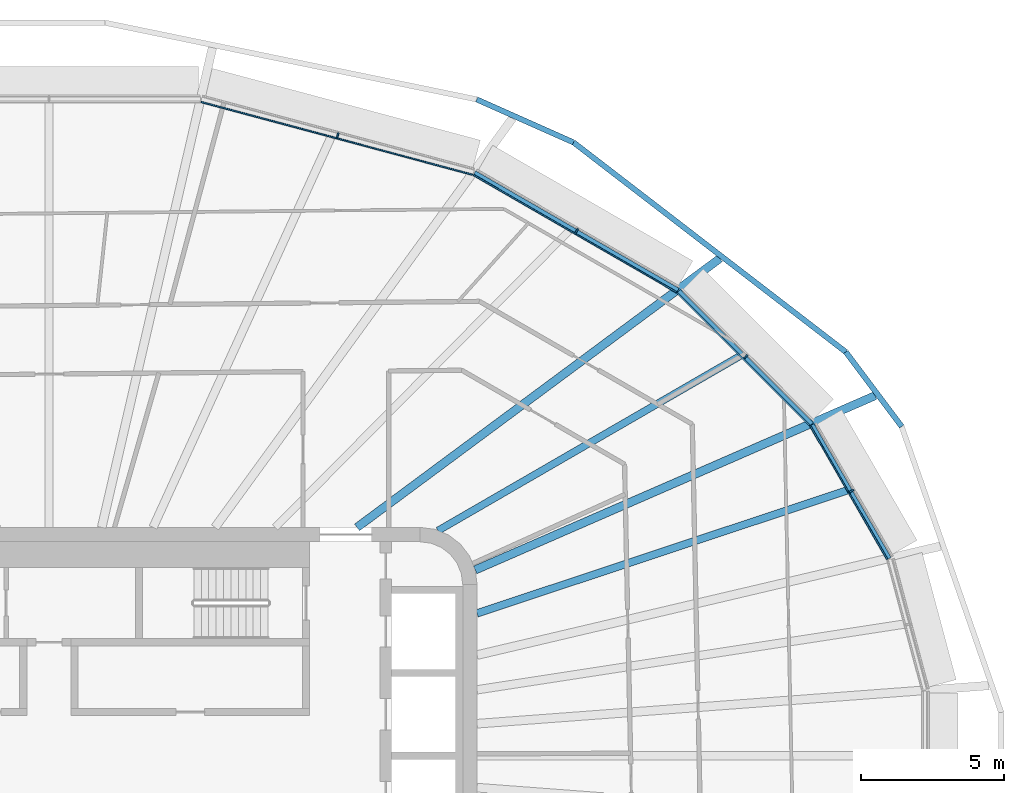
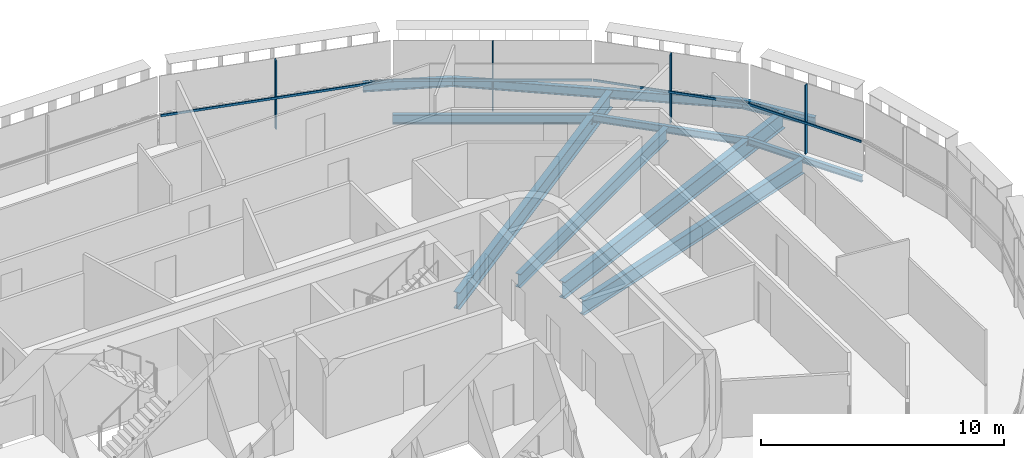
# One storey, part 7 of 23: 10 beams, 8 members, 4 elements without a shape of their own.
"""IFC4 building model written with IfcOpenShell, lengths in metres."""

import ifcopenshell
import ifcopenshell.guid

model = None  # the IFC model being written
_history = None  # IfcOwnerHistory: only IFC2X3 demands one
_inside = {}  # id of a spatial element -> (the spatial element, [elements in it])
_under = {}  # id of a project, library or spatial element -> (it, [spatial elements below it])
_declared = {}  # id of a project -> (the project, [libraries it declares])
_typed = {}  # id of a type object -> (the type object, [elements of that type])
_made_of = {}  # id of a material, layer set ... -> (it, [elements and type objects made of it])


def new_model(schema):
    """Start an empty IFC model of exactly this schema.

    Asked for "IFC4X3", IfcOpenShell would pick the latest addendum, in which some entities
    have other attributes; the version numbers below select the first issue.
    IFC2X3 requires an IfcOwnerHistory on every rooted entity: one is made here for all.
    """
    global model, _history
    if schema == "IFC4X3":
        model = ifcopenshell.file(schema_version=(4, 3, 0, 0))
    else:
        model = ifcopenshell.file(schema=schema)
    _inside.clear()
    _under.clear()
    _declared.clear()
    _typed.clear()
    _made_of.clear()
    _history = None
    if model.schema == "IFC2X3":
        org = make("IfcOrganization", Name="unknown")
        user = make(
            "IfcPersonAndOrganization",
            ThePerson=make("IfcPerson", FamilyName="unknown"),
            TheOrganization=org,
        )
        app = make(
            "IfcApplication",
            ApplicationDeveloper=org,
            Version="unknown",
            ApplicationFullName="unknown",
            ApplicationIdentifier="unknown",
        )
        _history = make(
            "IfcOwnerHistory",
            OwningUser=user,
            OwningApplication=app,
            ChangeAction="ADDED",
            CreationDate=0,
        )
    return model


def make(cls, **values):
    """One entity of the class cls with the attributes given. An attribute that is None is left unset."""
    return model.create_entity(
        cls, **{name: value for name, value in values.items() if value is not None}
    )


def rooted(cls, **values):
    """An entity with a GlobalId (a new one), such as an element, a storey or a relation."""
    return make(cls, GlobalId=ifcopenshell.guid.new(), OwnerHistory=_history, **values)


def si_unit(unit_type, name, prefix=None):
    """IfcSIUnit, for example si_unit("LENGTHUNIT", "METRE", prefix="MILLI")."""
    return make("IfcSIUnit", UnitType=unit_type, Prefix=prefix, Name=name)


def assignment(units):
    """IfcUnitAssignment: the units of a project."""
    return None if units is None else make("IfcUnitAssignment", Units=units)


def point(xyz):
    """IfcCartesianPoint."""
    return None if xyz is None else make("IfcCartesianPoint", Coordinates=xyz)


def direction(xyz):
    """IfcDirection."""
    return None if xyz is None else make("IfcDirection", DirectionRatios=xyz)


def frame(location, z_axis=None, x_axis=None):
    """IfcAxis2Placement3D, a coordinate frame: its origin and axes. An axis left out is left unset."""
    return make(
        "IfcAxis2Placement3D",
        Location=point(location),
        Axis=direction(z_axis),
        RefDirection=direction(x_axis),
    )


def frame_2d(location, x_axis=None):
    """IfcAxis2Placement2D, a coordinate frame in the plane: its origin and x axis."""
    return make(
        "IfcAxis2Placement2D", Location=point(location), RefDirection=direction(x_axis)
    )


def origin():
    """The frame at (0, 0, 0) with its axes left unset."""
    return frame((0.0, 0.0, 0.0))


def origin_2d():
    """The frame at (0, 0) in the plane with its x axis left unset."""
    return frame_2d((0.0, 0.0))


def place(relative_to, where):
    """IfcLocalPlacement: puts the frame where relative to a parent placement (None: the world)."""
    return make(
        "IfcLocalPlacement", PlacementRelTo=relative_to, RelativePlacement=where
    )


def context(
    kind, dimensions, precision=None, world=None, true_north=None, identifier=None
):
    """IfcGeometricRepresentationContext, for example the 3D "Model" context."""
    return make(
        "IfcGeometricRepresentationContext",
        ContextIdentifier=identifier,
        ContextType=kind,
        CoordinateSpaceDimension=dimensions,
        Precision=precision,
        WorldCoordinateSystem=world,
        TrueNorth=true_north,
    )


def subcontext(parent, identifier, kind, view, scale=None):
    """IfcGeometricRepresentationSubContext, for example "Body" below "Model"."""
    return make(
        "IfcGeometricRepresentationSubContext",
        ContextIdentifier=identifier,
        ContextType=kind,
        ParentContext=parent,
        TargetScale=scale,
        TargetView=view,
    )


def project(units=None, contexts=None):
    """IfcProject with its units and contexts."""
    return rooted(
        "IfcProject",
        Name="project",
        RepresentationContexts=contexts,
        UnitsInContext=assignment(units),
    )


def spatial(cls, under=None, at=None, **own):
    """A site, building, storey or space (cls), placed at a placement, below another one or the project."""
    s = rooted(cls, ObjectPlacement=at, **own)
    if under is not None:
        _under.setdefault(under.id(), (under, []))[1].append(s)
    return s


def profile(cls, at=None, kind="AREA", **sizes):
    """A parametric profile (cls). Its sizes go by their IFC names, for example OverallWidth=200.0."""
    return make(cls, ProfileType=kind, Position=at, **sizes)


def rectangle(**sizes):
    """IfcRectangleProfileDef."""
    return profile("IfcRectangleProfileDef", **sizes)


def i_section(**sizes):
    """IfcIShapeProfileDef."""
    return profile("IfcIShapeProfileDef", **sizes)


def extrude(swept, where, along, depth):
    """IfcExtrudedAreaSolid: the profile swept, set in the frame where, extruded along a direction by depth."""
    return make(
        "IfcExtrudedAreaSolid",
        SweptArea=swept,
        Position=where,
        ExtrudedDirection=direction(along),
        Depth=depth,
    )


def shape(context_of_items, identifier, shape_type, items):
    """IfcShapeRepresentation: the items that make up one representation, for example the "Body"."""
    return make(
        "IfcShapeRepresentation",
        ContextOfItems=context_of_items,
        RepresentationIdentifier=identifier,
        RepresentationType=shape_type,
        Items=items,
    )


def material(Name=None, Category=None):
    """IfcMaterial."""
    return make("IfcMaterial", Name=Name, Category=Category)


def layer(
    of_material, thickness, ventilated=None, Name=None, Category=None, Priority=None
):
    """IfcMaterialLayer: one layer of a wall or slab, of a material (None: an air gap)."""
    return make(
        "IfcMaterialLayer",
        Material=of_material,
        LayerThickness=thickness,
        IsVentilated=ventilated,
        Name=Name,
        Category=Category,
        Priority=Priority,
    )


def layer_set(layers, Name=None):
    """IfcMaterialLayerSet."""
    return make("IfcMaterialLayerSet", MaterialLayers=layers, LayerSetName=Name)


def material_profile(
    of_material, cross_section, Name=None, Category=None, Priority=None
):
    """IfcMaterialProfile: a cross section and its material."""
    return make(
        "IfcMaterialProfile",
        Name=Name,
        Material=of_material,
        Profile=cross_section,
        Priority=Priority,
        Category=Category,
    )


def profile_set(profiles, Name=None, composite=None):
    """IfcMaterialProfileSet."""
    return make(
        "IfcMaterialProfileSet",
        Name=Name,
        MaterialProfiles=profiles,
        CompositeProfile=composite,
    )


def made_of(thing, what):
    """Note that an element or type object is made of a material, layer set ...; save() writes the relation."""
    if what is not None:
        _made_of.setdefault(what.id(), (what, []))[1].append(thing)
    return thing


def type_object(cls, material=None, **own):
    """A type object (cls), such as IfcWallType, which elements share."""
    return made_of(rooted(cls, **own), material)


def element(
    cls,
    number,
    at=None,
    inside=None,
    cuts=None,
    type_object=None,
    material=None,
    context=None,
    identifier="Body",
    shape_type=None,
    held_by="IfcProductDefinitionShape",
    body=None,
    shapes=None,
    **own,
):
    """One element of the class cls, such as IfcWall. Its Tag is "e" and its number.

    at: its placement. inside: the storey or other place that contains it. cuts: it is an
    opening in that element (IfcRelVoidsElement). A single representation is given by context,
    identifier, shape_type and body (its items); several are given by shapes. held_by: the class
    of the entity that holds the representations. save() writes the other relations.
    """
    e = rooted(cls, Tag="e%d" % number, ObjectPlacement=at, **own)
    if body is not None:
        shapes = [shape(context, identifier, shape_type, body)]
    if shapes is not None:
        e.Representation = make(held_by, Representations=shapes)
    if inside is not None:
        _inside.setdefault(inside.id(), (inside, []))[1].append(e)
    if cuts is not None:
        rooted(
            "IfcRelVoidsElement", RelatingBuildingElement=cuts, RelatedOpeningElement=e
        )
    if type_object is not None:
        _typed.setdefault(type_object.id(), (type_object, []))[1].append(e)
    return made_of(e, material)


def aggregate(whole, parts):
    """IfcRelAggregates: a whole, such as a stair, and the parts it consists of."""
    return rooted("IfcRelAggregates", RelatingObject=whole, RelatedObjects=parts)


def save(model, path):
    """Write the relations noted so far, then the file.

    IfcRelAggregates (storeys below a building ...), IfcRelContainedInSpatialStructure (elements
    in a storey), IfcRelDefinesByType, IfcRelAssociatesMaterial and IfcRelDeclares: one each for
    every whole, place, type object, material and project.
    """
    for whole, parts in _under.values():
        aggregate(whole, parts)
    for where, things in _inside.values():
        rooted(
            "IfcRelContainedInSpatialStructure",
            RelatedElements=things,
            RelatingStructure=where,
        )
    for kind, things in _typed.values():
        rooted("IfcRelDefinesByType", RelatedObjects=things, RelatingType=kind)
    for what, things in _made_of.values():
        rooted("IfcRelAssociatesMaterial", RelatedObjects=things, RelatingMaterial=what)
    for by, libraries in _declared.values():
        rooted("IfcRelDeclares", RelatingContext=by, RelatedDefinitions=libraries)
    model.write(path)


model = new_model("IFC4")

# Units and contexts
model_context = context("Model", 3, precision=1e-05, world=origin(), true_north=direction((0.0, 1.0)))
body_context = subcontext(model_context, "Body", "Model", "MODEL_VIEW")
ifc_project = project(units=[si_unit("LENGTHUNIT", "METRE"), si_unit("AREAUNIT", "SQUARE_METRE"), si_unit("VOLUMEUNIT", "CUBIC_METRE"), si_unit("PLANEANGLEUNIT", "RADIAN"), si_unit("MASSUNIT", "GRAM", prefix="KILO")], contexts=[model_context])

# Site, building, storey
site_placement = place(None, origin())
site = spatial("IfcSite", under=ifc_project, at=site_placement, CompositionType="ELEMENT")
building_placement = place(site_placement, origin())
building = spatial("IfcBuilding", under=site, at=building_placement, Name="Sahrelin Media Tower", CompositionType="ELEMENT")
storey_placement = place(building_placement, frame((0.0, 0.0, 185.60009765625)))
storey = spatial("IfcBuildingStorey", under=building, at=storey_placement, Name="L39", CompositionType="ELEMENT", Elevation=185.60009765625)

# Beams
ifc_material_1 = material(Name="Steel S355", Category="steel")
ifc_material_profile_1 = material_profile(ifc_material_1, i_section(OverallWidth=0.1650390625, OverallDepth=0.303466796875, WebThickness=0.006103515625, FlangeThickness=0.01025390625, FilletRadius=0.0087890625, at=origin_2d()), Name="UB 305x165x40")
ifc_profile_set_1 = profile_set([ifc_material_profile_1], Name="Steel S355")
beam_type_1 = type_object("IfcBeamType", Name="Edge beam EB2", PredefinedType="BEAM", material=ifc_profile_set_1)
beam_1_placement = place(storey_placement, frame((26.728759765625, 11.5927734375, -0.3017578125), z_axis=(0.500016705875, -0.866015758428, 0.0), x_axis=(0.866015758428, 0.500016705875, 0.0)))
element("IfcBeam", 1, at=beam_1_placement, inside=storey, type_object=beam_type_1, Name="Edge beam L39-23", PredefinedType="BEAM", context=body_context, shape_type="SweptSolid", body=[
    extrude(i_section(OverallWidth=0.1650390625, OverallDepth=0.303466796875, WebThickness=0.006103515625, FlangeThickness=0.01025390625, FilletRadius=0.0087890625, at=origin_2d()), origin(), (0.0, 0.0, 1.0), 5.410400390625),
])
ifc_material_profile_2 = material_profile(ifc_material_1, i_section(OverallWidth=0.17138671875, OverallDepth=0.35498046875, WebThickness=0.00732421875, FlangeThickness=0.011474609375, FilletRadius=0.01025390625, at=origin_2d()), Name="UB 356x171x51")
ifc_profile_set_2 = profile_set([ifc_material_profile_2], Name="Steel S355")
beam_type_2 = type_object("IfcBeamType", Name="Edge beam EB3", PredefinedType="BEAM", material=ifc_profile_set_2)
beam_2_placement = place(storey_placement, frame((22.05224609375, 16.27490234375, -0.32763671875), z_axis=(0.70708825429, -0.707125307597, 0.0), x_axis=(0.707125307597, 0.70708825429, 0.0)))
element("IfcBeam", 2, at=beam_2_placement, inside=storey, type_object=beam_type_2, Name="Edge beam L39-22", PredefinedType="BEAM", context=body_context, shape_type="SweptSolid", body=[
    extrude(i_section(OverallWidth=0.17138671875, OverallDepth=0.35498046875, WebThickness=0.00732421875, FlangeThickness=0.011474609375, FilletRadius=0.01025390625, at=origin_2d()), origin(), (0.0, 0.0, 1.0), 6.5888671875),
])
ifc_material_profile_3 = material_profile(ifc_material_1, i_section(OverallWidth=0.1904296875, OverallDepth=0.45703125, WebThickness=0.009033203125, FlangeThickness=0.014404296875, FilletRadius=0.01025390625, at=origin_2d()), Name="UB 457x191x74")
ifc_profile_set_3 = profile_set([ifc_material_profile_3], Name="Steel S355")
beam_type_3 = type_object("IfcBeamType", Name="Edge beam EB5", PredefinedType="BEAM", material=ifc_profile_set_3)
beam_3_placement = place(storey_placement, frame((14.901611328125, 20.40771484375, -0.378662109375), z_axis=(0.8660092336, -0.500028006535, 0.0), x_axis=(0.500028006535, 0.8660092336, 0.0)))
element("IfcBeam", 3, at=beam_3_placement, inside=storey, type_object=beam_type_3, Name="Edge beam L39-21", PredefinedType="BEAM", context=body_context, shape_type="SweptSolid", body=[
    extrude(i_section(OverallWidth=0.1904296875, OverallDepth=0.45703125, WebThickness=0.009033203125, FlangeThickness=0.014404296875, FilletRadius=0.01025390625, at=origin_2d()), origin(), (0.0, 0.0, 1.0), 8.23046875),
])

# Curtain wall, member
ifc_material_2 = material(Name="Champagne anodised aluminium 6063-T6", Category="aluminium")
ifc_layer = layer(ifc_material_2, 0.14990234375)
ifc_layer_set = layer_set([ifc_layer], Name="Tower ribbon curtain wall")
curtain_wall_type = type_object("IfcCurtainWallType", Name="Tower ribbon curtain wall", PredefinedType="NOTDEFINED", material=ifc_layer_set)
curtain_wall_1_placement = place(storey_placement, frame((28.211181640625, 9.324951171875, 0.0), z_axis=(0.0, 0.0, 1.0), x_axis=(1.0, 0.0, 0.0)))
curtain_wall_1 = element("IfcCurtainWall", 4, at=curtain_wall_1_placement, inside=storey, type_object=curtain_wall_type, Name="L39:CW:L39-02", PredefinedType="NOTDEFINED")
ifc_material_profile_4 = material_profile(ifc_material_2, rectangle(XDim=0.06005859375, YDim=0.175048828125, at=origin_2d()), Name="Mullion 60x175")
ifc_profile_set_4 = profile_set([ifc_material_profile_4], Name="Champagne anodised aluminium 6063-T6")
member_type_1 = type_object("IfcMemberType", Name="Mullion 60x175 CW1B", PredefinedType="MULLION", material=ifc_profile_set_4)
member_1_placement = place(storey_placement, frame((28.118408203125, 9.271240234375, 0.0), z_axis=(0.0, 0.0, 1.0), x_axis=(-0.499996976998, 0.866027149108, 0.0)))
member_1 = element("IfcMember", 5, at=member_1_placement, type_object=member_type_1, Name="L39:CWM:L39-02", PredefinedType="MULLION", context=body_context, shape_type="SweptSolid", body=[
    extrude(rectangle(XDim=0.06005859375, YDim=0.175048828125, at=origin_2d()), origin(), (0.0, 0.0, 1.0), 3.448486328125),
])

curtain_wall_2_placement = place(storey_placement, frame((24.48779296875, 14.05126953125, 0.0), z_axis=(0.0, 0.0, 1.0), x_axis=(1.0, 0.0, 0.0)))
curtain_wall_2 = element("IfcCurtainWall", 6, at=curtain_wall_2_placement, inside=storey, type_object=curtain_wall_type, Name="L39:CW:L39-03", PredefinedType="NOTDEFINED")
member_2_placement = place(storey_placement, frame((24.411865234375, 13.975341796875, 0.0), z_axis=(0.0, 0.0, 1.0), x_axis=(-0.707106781187, 0.707106781187, 0.0)))
member_2 = element("IfcMember", 7, at=member_2_placement, type_object=member_type_1, Name="L39:CWM:L39-03", PredefinedType="MULLION", context=body_context, shape_type="SweptSolid", body=[
    extrude(rectangle(XDim=0.06005859375, YDim=0.175048828125, at=origin_2d()), origin(), (0.0, 0.0, 1.0), 3.448486328125),
])

curtain_wall_3_placement = place(storey_placement, frame((18.54052734375, 18.47998046875, 0.0), z_axis=(0.0, 0.0, 1.0), x_axis=(1.0, 0.0, 0.0)))
curtain_wall_3 = element("IfcCurtainWall", 8, at=curtain_wall_3_placement, inside=storey, type_object=curtain_wall_type, Name="L39:CW:L39-04", PredefinedType="NOTDEFINED")
member_3_placement = place(storey_placement, frame((18.48681640625, 18.38671875, 0.0), z_axis=(0.0, 0.0, 1.0), x_axis=(-0.86602365845, 0.500003022996, 0.0)))
member_3 = element("IfcMember", 9, at=member_3_placement, type_object=member_type_1, Name="L39:CWM:L39-04", PredefinedType="MULLION", context=body_context, shape_type="SweptSolid", body=[
    extrude(rectangle(XDim=0.06005859375, YDim=0.175048828125, at=origin_2d()), origin(), (0.0, 0.0, 1.0), 3.448486328125),
])

curtain_wall_4_placement = place(storey_placement, frame((10.143310546875, 21.841796875, 0.0), z_axis=(0.0, 0.0, 1.0), x_axis=(1.0, 0.0, 0.0)))
curtain_wall_4 = element("IfcCurtainWall", 10, at=curtain_wall_4_placement, inside=storey, type_object=curtain_wall_type, Name="L39:CW:L39-05", PredefinedType="NOTDEFINED")
member_4_placement = place(storey_placement, frame((10.115478515625, 21.73779296875, 0.0), z_axis=(0.0, 0.0, 1.0), x_axis=(-0.965924922834, 0.258822416818, 0.0)))
member_4 = element("IfcMember", 11, at=member_4_placement, type_object=member_type_1, Name="L39:CWM:L39-05", PredefinedType="MULLION", context=body_context, shape_type="SweptSolid", body=[
    extrude(rectangle(XDim=0.06005859375, YDim=0.175048828125, at=origin_2d()), origin(), (0.0, 0.0, 1.0), 3.448486328125),
])

# Beams
ifc_material_profile_5 = material_profile(ifc_material_1, i_section(OverallWidth=0.291748046875, OverallDepth=0.8349609375, WebThickness=0.013916015625, FlangeThickness=0.018798828125, FilletRadius=0.017822265625, at=origin_2d()), Name="UB 838x292x176")
ifc_profile_set_5 = profile_set([ifc_material_profile_5], Name="Steel S355")
beam_type_4 = type_object("IfcBeamType", Name="Radial primary beam PB10", PredefinedType="BEAM", material=ifc_profile_set_5)
beam_4_placement = place(storey_placement, frame((14.93310546875, 6.5078125, -0.567626953125), z_axis=(0.916728212301, 0.399511432591, 0.0), x_axis=(-0.399511432591, 0.916728212301, 0.0)))
element("IfcBeam", 12, at=beam_4_placement, inside=storey, type_object=beam_type_4, Name="Radial beam L39-03", PredefinedType="BEAM", context=body_context, shape_type="SweptSolid", body=[
    extrude(i_section(OverallWidth=0.291748046875, OverallDepth=0.8349609375, WebThickness=0.013916015625, FlangeThickness=0.018798828125, FilletRadius=0.017822265625, at=origin_2d()), origin(), (0.0, 0.0, 1.0), 15.28662109375),
])
beam_5_placement = place(storey_placement, frame((10.793701171875, 8.0, -0.567626953125), z_axis=(0.803393982722, 0.595447821833, 0.0), x_axis=(-0.595447821833, 0.803393982722, 0.0)))
element("IfcBeam", 13, at=beam_5_placement, inside=storey, type_object=beam_type_4, Name="Radial beam L39-04", PredefinedType="BEAM", context=body_context, shape_type="SweptSolid", body=[
    extrude(i_section(OverallWidth=0.291748046875, OverallDepth=0.8349609375, WebThickness=0.013916015625, FlangeThickness=0.018798828125, FilletRadius=0.017822265625, at=origin_2d()), origin(), (0.0, 0.0, 1.0), 15.82275390625),
])
ifc_material_profile_6 = material_profile(ifc_material_1, i_section(OverallWidth=0.2529296875, OverallDepth=0.677978515625, WebThickness=0.01171875, FlangeThickness=0.01611328125, FilletRadius=0.01513671875, at=origin_2d()), Name="UB 686x254x125")
ifc_profile_set_6 = profile_set([ifc_material_profile_6], Name="Steel S355")
beam_type_5 = type_object("IfcBeamType", Name="Radial secondary beam SB8", PredefinedType="BEAM", material=ifc_profile_set_6)
beam_6_placement = place(storey_placement, frame((13.63134765625, 7.884765625, -0.489013671875), z_axis=(0.865627368976, 0.500688783658, 0.0), x_axis=(-0.500688783658, 0.865627368976, 0.0)))
element("IfcBeam", 14, at=beam_6_placement, inside=storey, type_object=beam_type_5, Name="Secondary beam L39-03", PredefinedType="BEAM", context=body_context, shape_type="SweptSolid", body=[
    extrude(i_section(OverallWidth=0.2529296875, OverallDepth=0.677978515625, WebThickness=0.01171875, FlangeThickness=0.01611328125, FilletRadius=0.01513671875, at=origin_2d()), origin(), (0.0, 0.0, 1.0), 12.215087890625),
])
ifc_material_profile_7 = material_profile(ifc_material_1, i_section(OverallWidth=0.26513671875, OverallDepth=0.75390625, WebThickness=0.0126953125, FlangeThickness=0.017578125, FilletRadius=0.0166015625, at=origin_2d()), Name="UB 762x267x147")
ifc_profile_set_7 = profile_set([ifc_material_profile_7], Name="Steel S355")
beam_type_6 = type_object("IfcBeamType", Name="Radial secondary beam SB9", PredefinedType="BEAM", material=ifc_profile_set_7)
beam_7_placement = place(storey_placement, frame((15.0, 4.986083984375, -0.527099609375), z_axis=(0.948949304443, 0.315428625204, 0.0), x_axis=(-0.315428625204, 0.948949304443, 0.0)))
element("IfcBeam", 15, at=beam_7_placement, inside=storey, type_object=beam_type_6, Name="Secondary beam L39-02", PredefinedType="BEAM", context=body_context, shape_type="SweptSolid", body=[
    extrude(i_section(OverallWidth=0.26513671875, OverallDepth=0.75390625, WebThickness=0.0126953125, FlangeThickness=0.017578125, FilletRadius=0.0166015625, at=origin_2d()), origin(), (0.0, 0.0, 1.0), 13.657958984375),
])
ifc_material_profile_8 = material_profile(ifc_material_1, i_section(OverallWidth=0.1904296875, OverallDepth=0.45703125, WebThickness=0.009033203125, FlangeThickness=0.014404296875, FilletRadius=0.01025390625, at=origin_2d()), Name="UB 457x191x74")
ifc_profile_set_8 = profile_set([ifc_material_profile_8], Name="Steel S355")
beam_type_7 = type_object("IfcBeamType", Name="Tie chord TC5", PredefinedType="BEAM", material=ifc_profile_set_8)
beam_8_placement = place(storey_placement, frame((29.875244140625, 11.53564453125, -0.378662109375), z_axis=(-0.600059847202, 0.7999551111, 0.0), x_axis=(-0.7999551111, -0.600059847202, 0.0)))
element("IfcBeam", 16, at=beam_8_placement, inside=storey, type_object=beam_type_7, Name="Tie chord L39-02", PredefinedType="BEAM", context=body_context, shape_type="SweptSolid", body=[
    extrude(i_section(OverallWidth=0.1904296875, OverallDepth=0.45703125, WebThickness=0.009033203125, FlangeThickness=0.014404296875, FilletRadius=0.01025390625, at=origin_2d()), origin(), (0.0, 0.0, 1.0), 3.263427734375),
])
beam_9_placement = place(storey_placement, frame((27.9169921875, 14.146240234375, -0.378662109375), z_axis=(-0.792442979882, 0.60994600059, 0.0), x_axis=(-0.60994600059, -0.792442979882, 0.0)))
element("IfcBeam", 17, at=beam_9_placement, inside=storey, type_object=beam_type_7, Name="Tie chord L39-03", PredefinedType="BEAM", context=body_context, shape_type="SweptSolid", body=[
    extrude(i_section(OverallWidth=0.1904296875, OverallDepth=0.45703125, WebThickness=0.009033203125, FlangeThickness=0.014404296875, FilletRadius=0.01025390625, at=origin_2d()), origin(), (0.0, 0.0, 1.0), 12.035888671875),
])
beam_10_placement = place(storey_placement, frame((18.379150390625, 21.487548828125, -0.378662109375), z_axis=(-0.913827822394, 0.406101848086, 0.0), x_axis=(-0.406101848086, -0.913827822394, 0.0)))
element("IfcBeam", 18, at=beam_10_placement, inside=storey, type_object=beam_type_7, Name="Tie chord L39-04", PredefinedType="BEAM", context=body_context, shape_type="SweptSolid", body=[
    extrude(i_section(OverallWidth=0.1904296875, OverallDepth=0.45703125, WebThickness=0.009033203125, FlangeThickness=0.014404296875, FilletRadius=0.01025390625, at=origin_2d()), origin(), (0.0, 0.0, 1.0), 3.711669921875),
])

# Member
ifc_material_profile_9 = material_profile(ifc_material_2, rectangle(XDim=0.050048828125, YDim=0.110107421875, at=origin_2d()), Name="Transom 50x110")
ifc_profile_set_9 = profile_set([ifc_material_profile_9], Name="Champagne anodised aluminium 6063-T6")
member_type_2 = type_object("IfcMemberType", Name="Transom 50x110 CW1B", PredefinedType="USERDEFINED", material=ifc_profile_set_9)
member_5_placement = place(storey_placement, frame((29.365478515625, 6.8857421875, 1.599853515625), z_axis=(-0.499985686398, 0.866033667589, 0.0), x_axis=(-0.866033667589, -0.499985686398, 0.0)))
member_5 = element("IfcMember", 19, at=member_5_placement, type_object=member_type_2, Name="L39:CWT:L39-02", ObjectType="TRANSOM", PredefinedType="USERDEFINED", context=body_context, shape_type="SweptSolid", body=[
    extrude(rectangle(XDim=0.050048828125, YDim=0.110107421875, at=origin_2d()), origin(), (0.0, 0.0, 1.0), 5.379150390625),
])

aggregate(curtain_wall_1, [member_1, member_5])

member_6_placement = place(storey_placement, frame((26.650634765625, 11.577392578125, 1.599853515625), z_axis=(-0.707106781187, 0.707106781187, 0.0), x_axis=(-0.707106781187, -0.707106781187, 0.0)))
member_6 = element("IfcMember", 20, at=member_6_placement, type_object=member_type_2, Name="L39:CWT:L39-03", ObjectType="TRANSOM", PredefinedType="USERDEFINED", context=body_context, shape_type="SweptSolid", body=[
    extrude(rectangle(XDim=0.050048828125, YDim=0.110107421875, at=origin_2d()), origin(), (0.0, 0.0, 1.0), 6.557373046875),
])

aggregate(curtain_wall_2, [member_2, member_6])

member_7_placement = place(storey_placement, frame((21.980712890625, 16.239501953125, 1.599853515625), z_axis=(-0.866020958405, 0.500007699544, 0.0), x_axis=(-0.500007699544, -0.866020958405, 0.0)))
member_7 = element("IfcMember", 21, at=member_7_placement, type_object=member_type_2, Name="L39:CWT:L39-04", ObjectType="TRANSOM", PredefinedType="USERDEFINED", context=body_context, shape_type="SweptSolid", body=[
    extrude(rectangle(XDim=0.050048828125, YDim=0.110107421875, at=origin_2d()), origin(), (0.0, 0.0, 1.0), 8.198974609375),
])

aggregate(curtain_wall_3, [member_3, member_7])

member_8_placement = place(storey_placement, frame((14.841796875, 20.35498046875, 1.599853515625), z_axis=(-0.965921045244, 0.258836887547, 0.0), x_axis=(-0.258836887547, -0.965921045244, 0.0)))
member_8 = element("IfcMember", 22, at=member_8_placement, type_object=member_type_2, Name="L39:CWT:L39-05", ObjectType="TRANSOM", PredefinedType="USERDEFINED", context=body_context, shape_type="SweptSolid", body=[
    extrude(rectangle(XDim=0.050048828125, YDim=0.110107421875, at=origin_2d()), origin(), (0.0, 0.0, 1.0), 9.84619140625),
])

aggregate(curtain_wall_4, [member_4, member_8])

save(model, "model.ifc")
